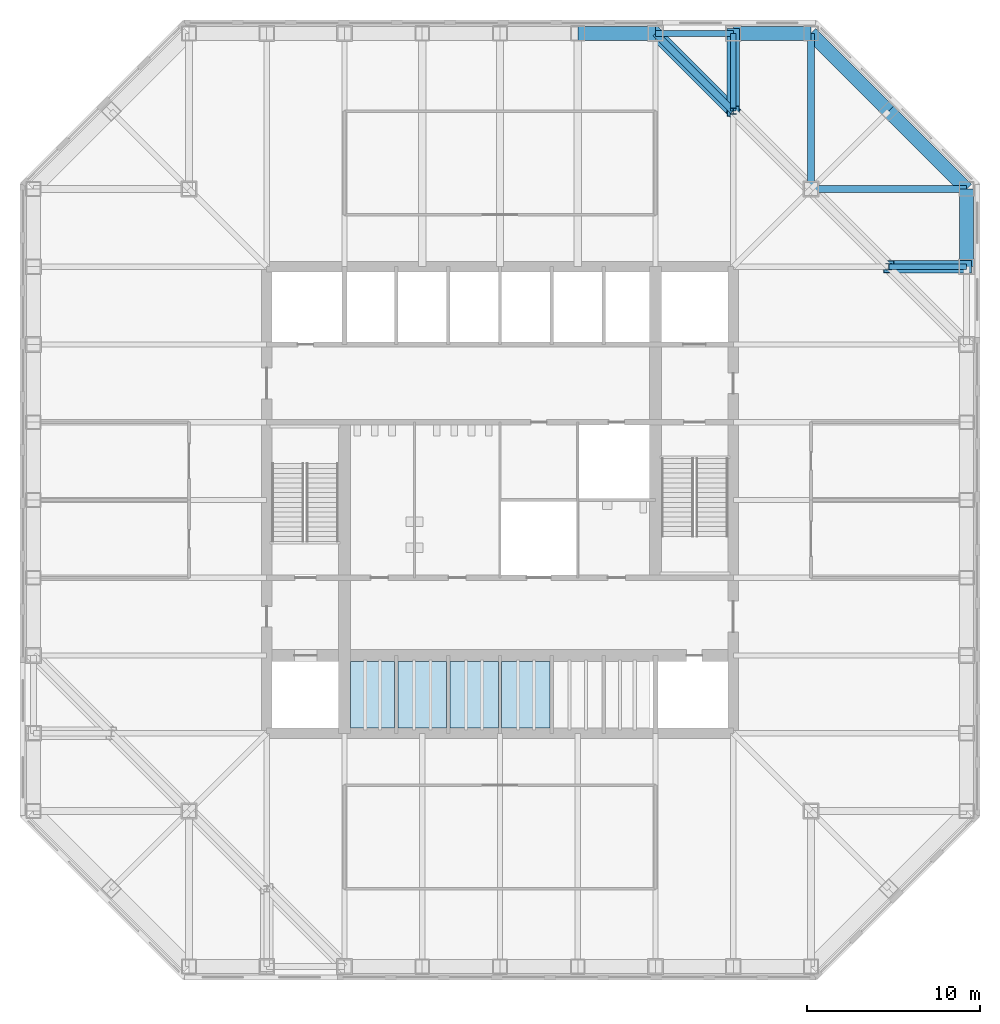
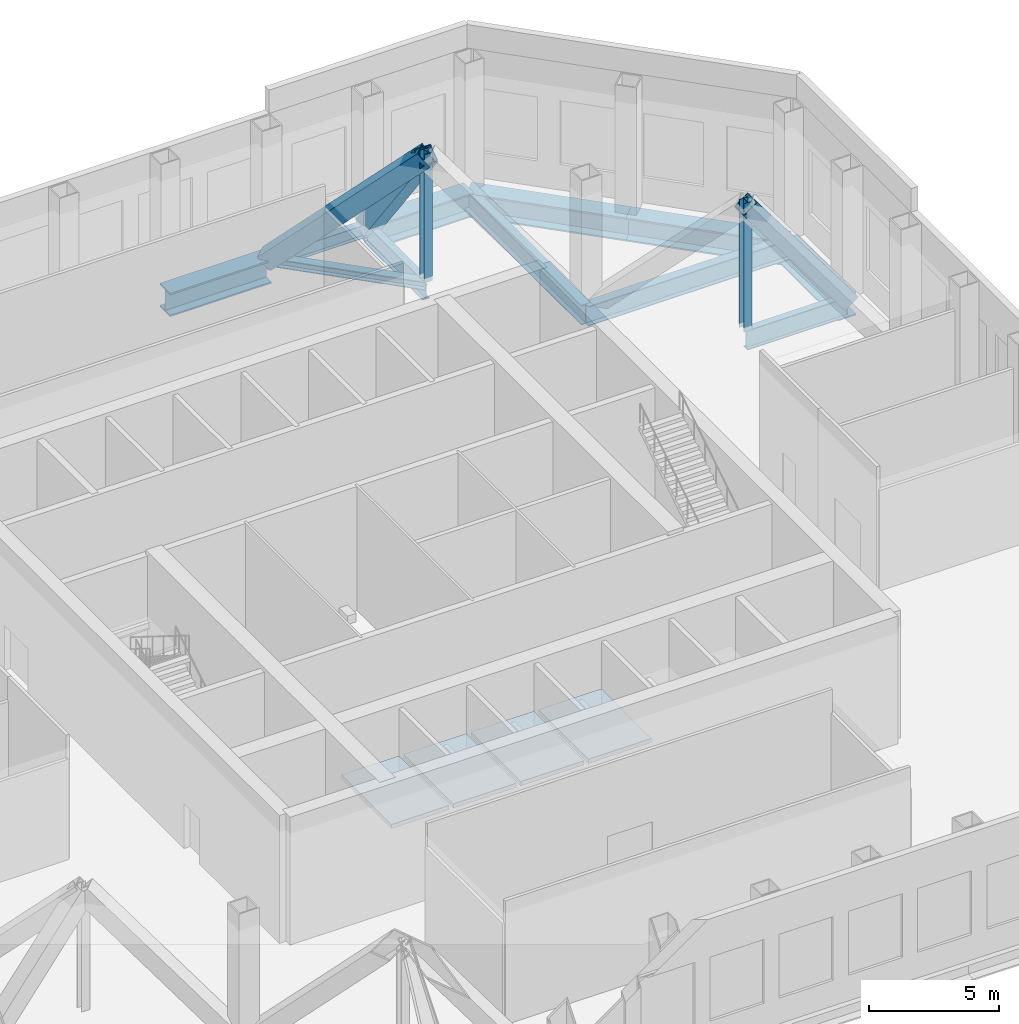
# One storey, part 4 of 11: 11 beams, 5 members, 4 slabs.
"""IFC4 building model written with IfcOpenShell, lengths in metres."""

from ifc_helpers import new_model, si_unit, direction, frame, origin, origin_2d, place, context, subcontext, project, spatial, polyline, hollow_rectangle, i_section, outline, extrude, material, layer, layer_set, material_profile, profile_set, type_object, element, save


model = new_model("IFC4")

# Units and contexts
model_context = context("Model", 3, precision=1e-05, world=origin(), true_north=direction((0.0, 1.0)))
body_context = subcontext(model_context, "Body", "Model", "MODEL_VIEW")
ifc_project = project(units=[si_unit("LENGTHUNIT", "METRE"), si_unit("AREAUNIT", "SQUARE_METRE"), si_unit("VOLUMEUNIT", "CUBIC_METRE"), si_unit("PLANEANGLEUNIT", "RADIAN"), si_unit("MASSUNIT", "GRAM", prefix="KILO")], contexts=[model_context])

# Site, building, storey
site_placement = place(None, origin())
site = spatial("IfcSite", under=ifc_project, at=site_placement, CompositionType="ELEMENT")
building_placement = place(site_placement, origin())
building = spatial("IfcBuilding", under=site, at=building_placement, Name="Corais Broadcast Tower", CompositionType="ELEMENT")
storey_placement = place(building_placement, frame((0.0, 0.0, 104.60009765625)))
storey = spatial("IfcBuildingStorey", under=building, at=storey_placement, Name="L23", CompositionType="ELEMENT", Elevation=104.60009765625)

# Beams
ifc_material_1 = material(Name="Steel ASTM A572 Grade 50", Category="steel")
ifc_material_profile_1 = material_profile(ifc_material_1, i_section(OverallWidth=0.323974609375, OverallDepth=0.611083984375, WebThickness=0.0126953125, FlangeThickness=0.01904296875, at=origin_2d()), Name="W610x155")
ifc_profile_set_1 = profile_set([ifc_material_profile_1], Name="Steel ASTM A572 Grade 50")
beam_type_1 = type_object("IfcBeamType", Name="Pinned spandrel W610x155", PredefinedType="BEAM", material=ifc_profile_set_1)
beam_1_placement = place(storey_placement, frame((40.5, 54.0, -0.505615234375), z_axis=(-1.0, 0.0, 0.0), x_axis=(0.0, -1.0, 0.0)))
element("IfcBeam", 1, at=beam_1_placement, inside=storey, type_object=beam_type_1, Name="SB6 N/12 to N/11", PredefinedType="BEAM", context=body_context, shape_type="SweptSolid", body=[
    extrude(i_section(OverallWidth=0.323974609375, OverallDepth=0.611083984375, WebThickness=0.0126953125, FlangeThickness=0.01904296875, at=origin_2d()), origin(), (0.0, 0.0, 1.0), 4.5),
])
ifc_material_2 = material(Name="Steel ASTM A572 Grade 50", Category="steel")
ifc_material_profile_2 = material_profile(ifc_material_2, i_section(OverallWidth=0.30908203125, OverallDepth=0.931884765625, WebThickness=0.02099609375, FlangeThickness=0.034423828125, at=origin_2d()), Name="W920x313")
ifc_profile_set_2 = profile_set([ifc_material_profile_2], Name="Steel ASTM A572 Grade 50")
beam_type_2 = type_object("IfcBeamType", Name="Plant floor beam W920x313", PredefinedType="BEAM", material=ifc_profile_set_2)
for number, where, z_axis, x_axis, name in (
    (2, (40.5, 54.0, -0.666015625), (0.0, -1.0, 0.0), (1.0, 0.0, 0.0), "B17 N/12 to M/12"),
    (3, (54.0, 40.5, -0.666015625), (-1.0, 0.0, 0.0), (0.0, -1.0, 0.0), "B17 K/15 to K/14"),
):
    element("IfcBeam", number, at=place(storey_placement, frame(where, z_axis=z_axis, x_axis=x_axis)), inside=storey, type_object=beam_type_2, Name=name, PredefinedType="BEAM", context=body_context, shape_type="SweptSolid", body=[
        extrude(i_section(OverallWidth=0.30908203125, OverallDepth=0.931884765625, WebThickness=0.02099609375, FlangeThickness=0.034423828125, at=origin_2d()), origin(), (0.0, 0.0, 1.0), 4.5),
    ])
ifc_material_3 = material(Name="Steel ASTM A572 Grade 50", Category="steel")
ifc_material_profile_3 = material_profile(ifc_material_3, i_section(OverallWidth=0.40087890625, OverallDepth=0.386962890625, WebThickness=0.02099609375, FlangeThickness=0.033203125, at=origin_2d()), Name="W360x262")
ifc_profile_set_3 = profile_set([ifc_material_profile_3], Name="Steel ASTM A572 Grade 50")
beam_type_3 = type_object("IfcBeamType", Name="Transfer chord W360x262", PredefinedType="BEAM", material=ifc_profile_set_3)
beam_2_placement = place(storey_placement, frame((36.0, 54.0, -0.3935546875), z_axis=(0.707106781187, -0.707106781187, 0.0), x_axis=(0.707106781187, 0.707106781187, 0.0)))
element("IfcBeam", 4, at=beam_2_placement, inside=storey, type_object=beam_type_3, Name="TC1 N/11 to M/12", PredefinedType="BEAM", context=body_context, shape_type="SweptSolid", body=[
    extrude(i_section(OverallWidth=0.40087890625, OverallDepth=0.386962890625, WebThickness=0.02099609375, FlangeThickness=0.033203125, at=origin_2d()), origin(), (0.0, 0.0, 1.0), 6.364013671875),
])
ifc_material_4 = material(Name="Steel ASTM A572 Grade 50", Category="steel")
ifc_material_profile_4 = material_profile(ifc_material_4, i_section(OverallWidth=0.408935546875, OverallDepth=0.927001953125, WebThickness=0.0166015625, FlangeThickness=0.030029296875, at=origin_2d()), Name="W920x289")
ifc_profile_set_4 = profile_set([ifc_material_profile_4], Name="Steel ASTM A572 Grade 50")
beam_type_4 = type_object("IfcBeamType", Name="Transfer corner girder W920x289", PredefinedType="BEAM", material=ifc_profile_set_4)
for number, where, z_axis, x_axis, name in (
    (5, (45.0, 54.0, -0.66357421875), (0.0, -1.0, 0.0), (1.0, 0.0, 0.0), "B14 N/13 to L/13"),
    (6, (54.0, 45.0, -0.66357421875), (-1.0, 0.0, 0.0), (0.0, -1.0, 0.0), "B14 L/15 to L/13"),
):
    element("IfcBeam", number, at=place(storey_placement, frame(where, z_axis=z_axis, x_axis=x_axis)), inside=storey, type_object=beam_type_4, Name=name, PredefinedType="BEAM", context=body_context, shape_type="SweptSolid", body=[
        extrude(i_section(OverallWidth=0.408935546875, OverallDepth=0.927001953125, WebThickness=0.0166015625, FlangeThickness=0.030029296875, at=origin_2d()), origin(), (0.0, 0.0, 1.0), 9.0),
    ])
ifc_material_5 = material(Name="Steel ASTM A572 Grade 50", Category="steel")
ifc_material_profile_5 = material_profile(ifc_material_5, i_section(OverallWidth=0.800048828125, OverallDepth=1.10009765625, WebThickness=0.030029296875, FlangeThickness=0.070068359375, at=origin_2d()), Name="PG1100x1105")
ifc_profile_set_5 = profile_set([ifc_material_profile_5], Name="Steel ASTM A572 Grade 50")
beam_type_5 = type_object("IfcBeamType", Name="Transfer spandrel PG1100x1105", PredefinedType="BEAM", material=ifc_profile_set_5)
for number, where, z_axis, x_axis, name in (
    (7, (36.0, 54.0, -0.75), (-1.0, 0.0, 0.0), (0.0, -1.0, 0.0), "SB8 N/11 to N/10"),
    (8, (45.0, 54.0, -0.75), (-1.0, 0.0, 0.0), (0.0, -1.0, 0.0), "SB8 N/13 to N/12"),
):
    element("IfcBeam", number, at=place(storey_placement, frame(where, z_axis=z_axis, x_axis=x_axis)), inside=storey, type_object=beam_type_5, Name=name, PredefinedType="BEAM", context=body_context, shape_type="SweptSolid", body=[
        extrude(i_section(OverallWidth=0.800048828125, OverallDepth=1.10009765625, WebThickness=0.030029296875, FlangeThickness=0.070068359375, at=origin_2d()), origin(), (0.0, 0.0, 1.0), 4.5),
    ])
beam_3_placement = place(storey_placement, frame((49.5, 49.5, -0.75), z_axis=(-0.707106781187, 0.707106781187, 0.0), x_axis=(-0.707106781187, -0.707106781187, 0.0)))
element("IfcBeam", 9, at=beam_3_placement, inside=storey, type_object=beam_type_5, Name="SB8 M/14 to N/13", PredefinedType="BEAM", context=body_context, shape_type="SweptSolid", body=[
    extrude(i_section(OverallWidth=0.800048828125, OverallDepth=1.10009765625, WebThickness=0.030029296875, FlangeThickness=0.070068359375, at=origin_2d()), origin(), (0.0, 0.0, 1.0), 6.364013671875),
])
beam_4_placement = place(storey_placement, frame((54.0, 40.5, -0.75), z_axis=(0.0, 1.0, 0.0), x_axis=(-1.0, 0.0, 0.0)))
element("IfcBeam", 10, at=beam_4_placement, inside=storey, type_object=beam_type_5, Name="SB8 K/15 to L/15", PredefinedType="BEAM", context=body_context, shape_type="SweptSolid", body=[
    extrude(i_section(OverallWidth=0.800048828125, OverallDepth=1.10009765625, WebThickness=0.030029296875, FlangeThickness=0.070068359375, at=origin_2d()), origin(), (0.0, 0.0, 1.0), 4.5),
])
beam_5_placement = place(storey_placement, frame((54.0, 45.0, -0.75), z_axis=(-0.707106781187, 0.707106781187, 0.0), x_axis=(-0.707106781187, -0.707106781187, 0.0)))
element("IfcBeam", 11, at=beam_5_placement, inside=storey, type_object=beam_type_5, Name="SB8 L/15 to M/14", PredefinedType="BEAM", context=body_context, shape_type="SweptSolid", body=[
    extrude(i_section(OverallWidth=0.800048828125, OverallDepth=1.10009765625, WebThickness=0.030029296875, FlangeThickness=0.070068359375, at=origin_2d()), origin(), (0.0, 0.0, 1.0), 6.364013671875),
])

# Members
ifc_material_6 = material(Name="Steel ASTM A572 Grade 50", Category="steel")
ifc_material_profile_6 = material_profile(ifc_material_6, hollow_rectangle(XDim=0.75, YDim=0.75, WallThickness=0.0400390625, at=origin_2d()), Name="BOX 750x750x40")
ifc_profile_set_6 = profile_set([ifc_material_profile_6], Name="Steel ASTM A572 Grade 50")
member_type_1 = type_object("IfcMemberType", Name="Transfer truss diagonal BOX 750x750x40", PredefinedType="BRACE", material=ifc_profile_set_6)
member_placement = place(storey_placement, frame((36.0, 54.0, -0.3935546875), z_axis=(0.51368847143, -0.51368847143, 0.687203251331), x_axis=(0.707106781187, 0.707106781187, 0.0)))
element("IfcMember", 12, at=member_placement, inside=storey, type_object=member_type_1, Name="TD1 transfer truss diagonal NE", PredefinedType="BRACE", context=body_context, shape_type="SweptSolid", body=[
    extrude(hollow_rectangle(XDim=0.75, YDim=0.75, WallThickness=0.0400390625, at=origin_2d()), origin(), (0.0, 0.0, 1.0), 8.76025390625),
])
for number, where, z_axis, x_axis, name in (
    (13, (40.5, 54.0, -0.3935546875), (0.0, -0.598720715582, 0.800957867015), (1.0, 0.0, 0.0), "TD1 transfer truss diagonal NE"),
    (14, (54.0, 40.5, -0.3935546875), (-0.598720715582, 0.0, 0.800957867015), (0.0, -1.0, 0.0), "TD1 transfer truss diagonal NE"),
):
    element("IfcMember", number, at=place(storey_placement, frame(where, z_axis=z_axis, x_axis=x_axis)), inside=storey, type_object=member_type_1, Name=name, PredefinedType="BRACE", context=body_context, shape_type="SweptSolid", body=[
        extrude(hollow_rectangle(XDim=0.75, YDim=0.75, WallThickness=0.0400390625, at=origin_2d()), origin(), (0.0, 0.0, 1.0), 7.51611328125),
    ])
ifc_material_7 = material(Name="Steel ASTM A572 Grade 50", Category="steel")
ifc_material_profile_7 = material_profile(ifc_material_7, i_section(OverallWidth=0.373046875, OverallDepth=0.367919921875, WebThickness=0.014892578125, FlangeThickness=0.02392578125, at=origin_2d()), Name="W360x179")
ifc_profile_set_7 = profile_set([ifc_material_profile_7], Name="Steel ASTM A572 Grade 50")
member_type_2 = type_object("IfcMemberType", Name="Transfer truss post W360x179", PredefinedType="POST", material=ifc_profile_set_7)
for number, where, z_axis, x_axis, name in (
    (15, (40.5, 49.5, -0.2001953125), (0.0, 0.0, 1.0), (1.0, 0.0, 0.0), "TP1 transfer truss post NE"),
    (16, (49.5, 40.5, -0.2001953125), (0.0, 0.0, 1.0), (1.0, 0.0, 0.0), "TP1 transfer truss post NE"),
):
    element("IfcMember", number, at=place(storey_placement, frame(where, z_axis=z_axis, x_axis=x_axis)), inside=storey, type_object=member_type_2, Name=name, PredefinedType="POST", context=body_context, shape_type="SweptSolid", body=[
        extrude(i_section(OverallWidth=0.373046875, OverallDepth=0.367919921875, WebThickness=0.014892578125, FlangeThickness=0.02392578125, at=origin_2d()), origin(), (0.0, 0.0, 1.0), 6.02001953125),
    ])

# Slabs
ifc_material_8 = material(Name="Concrete C30/37", Category="concrete")
ifc_layer = layer(ifc_material_8, 0.199951171875)
ifc_layer_set = layer_set([ifc_layer], Name="Concrete C30/37")
slab_type = type_object("IfcSlabType", Name="Lift shaft slab 200", PredefinedType="FLOOR", material=ifc_layer_set)
slab_1_placement = place(storey_placement, frame((0.0, 0.0, 3.39990234375)))
element("IfcSlab", 17, at=slab_1_placement, inside=storey, type_object=slab_type, Name="SS1 lift shaft slab L23 1", PredefinedType="FLOOR", context=body_context, shape_type="SweptSolid", body=[
    extrude(outline(polyline([(18.35009765625, 13.800048828125), (20.89990234375, 13.800048828125), (20.89990234375, 17.64990234375), (18.35009765625, 17.64990234375), (18.35009765625, 13.800048828125)])), origin(), (0.0, 0.0, 1.0), 0.199951171875),
])
slab_2_placement = place(storey_placement, frame((0.0, 0.0, 3.39990234375)))
element("IfcSlab", 18, at=slab_2_placement, inside=storey, type_object=slab_type, Name="SS1 lift shaft slab L23 2", PredefinedType="FLOOR", context=body_context, shape_type="SweptSolid", body=[
    extrude(outline(polyline([(21.10009765625, 13.800048828125), (23.89990234375, 13.800048828125), (23.89990234375, 17.64990234375), (21.10009765625, 17.64990234375), (21.10009765625, 13.800048828125)])), origin(), (0.0, 0.0, 1.0), 0.199951171875),
])
slab_3_placement = place(storey_placement, frame((0.0, 0.0, 3.39990234375)))
element("IfcSlab", 19, at=slab_3_placement, inside=storey, type_object=slab_type, Name="SS1 lift shaft slab L23 3", PredefinedType="FLOOR", context=body_context, shape_type="SweptSolid", body=[
    extrude(outline(polyline([(24.10009765625, 13.800048828125), (26.89990234375, 13.800048828125), (26.89990234375, 17.64990234375), (24.10009765625, 17.64990234375), (24.10009765625, 13.800048828125)])), origin(), (0.0, 0.0, 1.0), 0.199951171875),
])
slab_4_placement = place(storey_placement, frame((0.0, 0.0, 3.39990234375)))
element("IfcSlab", 20, at=slab_4_placement, inside=storey, type_object=slab_type, Name="SS1 lift shaft slab L23 4", PredefinedType="FLOOR", context=body_context, shape_type="SweptSolid", body=[
    extrude(outline(polyline([(27.10009765625, 13.800048828125), (29.89990234375, 13.800048828125), (29.89990234375, 17.64990234375), (27.10009765625, 17.64990234375), (27.10009765625, 13.800048828125)])), origin(), (0.0, 0.0, 1.0), 0.199951171875),
])

save(model, "model.ifc")
